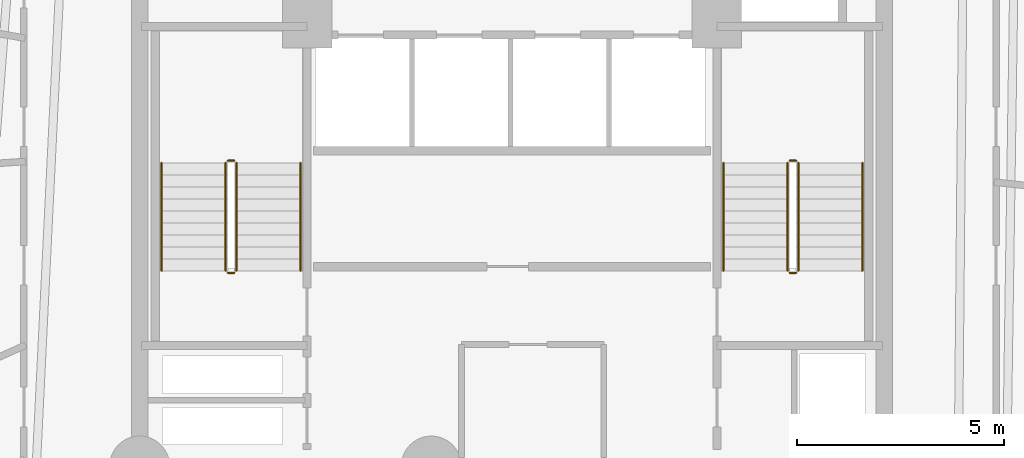
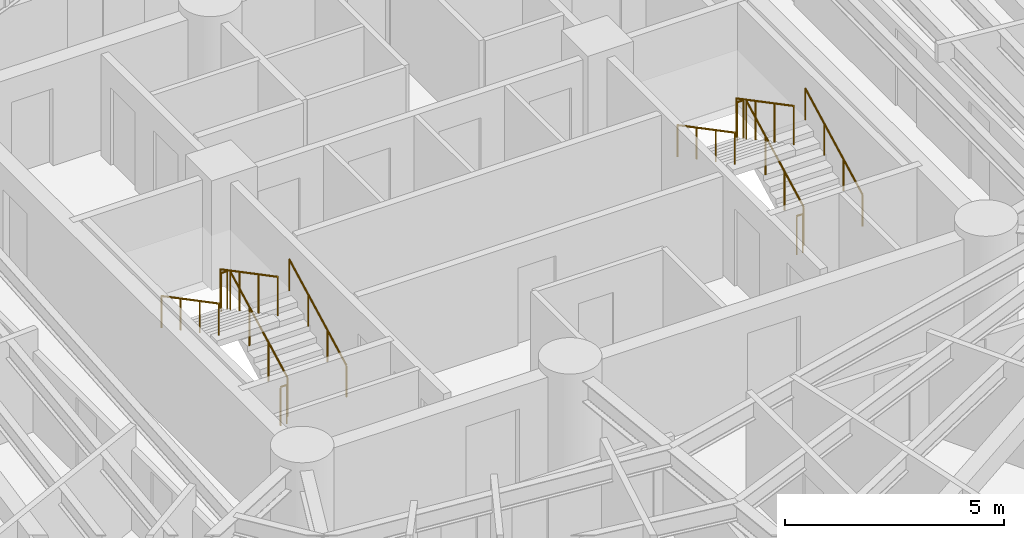
# One storey, part 7 of 7: 12 railings.
"""IFC4 building model written with IfcOpenShell, lengths in metres."""

from ifc_helpers import new_model, si_unit, direction, frame, origin, origin_2d, place, context, subcontext, project, spatial, circle, extrude, material, layer, layer_set, type_object, element, save


model = new_model("IFC4")

# Units and contexts
model_context = context("Model", 3, precision=1e-05, world=origin(), true_north=direction((0.0, 1.0)))
body_context = subcontext(model_context, "Body", "Model", "MODEL_VIEW")
ifc_project = project(units=[si_unit("LENGTHUNIT", "METRE"), si_unit("AREAUNIT", "SQUARE_METRE"), si_unit("VOLUMEUNIT", "CUBIC_METRE"), si_unit("PLANEANGLEUNIT", "RADIAN"), si_unit("MASSUNIT", "GRAM", prefix="KILO")], contexts=[model_context])

# Site, building, storey
site_placement = place(None, origin())
site = spatial("IfcSite", under=ifc_project, at=site_placement, CompositionType="ELEMENT")
building_placement = place(site_placement, origin())
building = spatial("IfcBuilding", under=site, at=building_placement, Name="Karkom Vertical University and Central Library", CompositionType="ELEMENT")
storey_placement = place(building_placement, frame((0.0, 0.0, 138.89990234375)))
storey = spatial("IfcBuildingStorey", under=building, at=storey_placement, Name="L39", CompositionType="ELEMENT", Elevation=138.89990234375)

# Railings
ifc_material_1 = material(Name="Painted galvanised steel balustrade", Category="steel")
ifc_layer_1 = layer(ifc_material_1, 0.06005859375)
ifc_layer_set_1 = layer_set([ifc_layer_1], Name="Painted galvanised steel balustrade")
railing_type_1 = type_object("IfcRailingType", Name="INT-RL-GUARD1100", PredefinedType="GUARDRAIL", material=ifc_layer_set_1)
railing_1_placement = place(storey_placement, frame((21.840087890625, 23.02001953125, 0.152587890625)))
element("IfcRailing", 1, at=railing_1_placement, inside=storey, type_object=railing_type_1, Name="Level 39 ST-1 stair guard 1", PredefinedType="GUARDRAIL", context=body_context, shape_type="SweptSolid", body=[
    extrude(circle(Radius=0.02392578125, at=origin_2d()), frame((0.0, 0.0, 1.076171875), z_axis=(0.0, 0.885065446896, 0.46546659892), x_axis=(-1.0, 0.0, 0.0)), (0.0, 0.0, 1.0), 2.94873046875),
    extrude(circle(Radius=0.02099609375, at=origin_2d()), origin(), (0.0, 0.0, 1.0), 1.052001953125),
    extrude(circle(Radius=0.02099609375, at=origin_2d()), frame((0.0, 0.869873046875, 0.45751953125)), (0.0, 0.0, 1.0), 1.052001953125),
    extrude(circle(Radius=0.02099609375, at=origin_2d()), frame((0.0, 1.739990234375, 0.9150390625)), (0.0, 0.0, 1.0), 1.052001953125),
    extrude(circle(Radius=0.02099609375, at=origin_2d()), frame((0.0, 2.60986328125, 1.37255859375)), (0.0, 0.0, 1.0), 1.052001953125),
])
railing_2_placement = place(storey_placement, frame((21.7900390625, 25.679931640625, 1.525146484375)))
element("IfcRailing", 2, at=railing_2_placement, inside=storey, type_object=railing_type_1, Name="Level 39 ST-1 stair guard 2", PredefinedType="GUARDRAIL", context=body_context, shape_type="SweptSolid", body=[
    extrude(circle(Radius=0.02392578125, at=origin_2d()), frame((0.0, 0.0, 1.076171875), z_axis=(-1.0, 0.0, 0.0), x_axis=(0.0, -1.0, 0.0)), (0.0, 0.0, 1.0), 0.16015625),
    extrude(circle(Radius=0.02099609375, at=origin_2d()), origin(), (0.0, 0.0, 1.0), 1.052001953125),
    extrude(circle(Radius=0.02099609375, at=origin_2d()), frame((-0.16015625, 0.0, 0.0)), (0.0, 0.0, 1.0), 1.052001953125),
])
railing_3_placement = place(storey_placement, frame((21.580078125, 25.6298828125, 1.677490234375)))
element("IfcRailing", 3, at=railing_3_placement, inside=storey, type_object=railing_type_1, Name="Level 39 ST-1 stair guard 3", PredefinedType="GUARDRAIL", context=body_context, shape_type="SweptSolid", body=[
    extrude(circle(Radius=0.02392578125, at=origin_2d()), frame((0.0, 0.0, 1.076171875), z_axis=(0.0, -0.885065446896, 0.46546659892), x_axis=(1.0, 0.0, 0.0)), (0.0, 0.0, 1.0), 2.94873046875),
    extrude(circle(Radius=0.02099609375, at=origin_2d()), origin(), (0.0, 0.0, 1.0), 1.052001953125),
    extrude(circle(Radius=0.02099609375, at=origin_2d()), frame((0.0, -0.869873046875, 0.45751953125)), (0.0, 0.0, 1.0), 1.052001953125),
    extrude(circle(Radius=0.02099609375, at=origin_2d()), frame((0.0, -1.739990234375, 0.9150390625)), (0.0, 0.0, 1.0), 1.052001953125),
    extrude(circle(Radius=0.02099609375, at=origin_2d()), frame((0.0, -2.60986328125, 1.37255859375)), (0.0, 0.0, 1.0), 1.052001953125),
])
railing_4_placement = place(storey_placement, frame((21.7900390625, 22.969970703125, 0.0)))
element("IfcRailing", 4, at=railing_4_placement, inside=storey, type_object=railing_type_1, Name="Level 39 ST-1 stair guard 4", PredefinedType="GUARDRAIL", context=body_context, shape_type="SweptSolid", body=[
    extrude(circle(Radius=0.02392578125, at=origin_2d()), frame((0.0, 0.0, 1.076171875), z_axis=(-1.0, 0.0, 0.0), x_axis=(0.0, -1.0, 0.0)), (0.0, 0.0, 1.0), 0.16015625),
    extrude(circle(Radius=0.02099609375, at=origin_2d()), origin(), (0.0, 0.0, 1.0), 1.052001953125),
    extrude(circle(Radius=0.02099609375, at=origin_2d()), frame((-0.16015625, 0.0, 0.0)), (0.0, 0.0, 1.0), 1.052001953125),
])
railing_5_placement = place(storey_placement, frame((35.419921875, 23.02001953125, 0.152587890625)))
element("IfcRailing", 5, at=railing_5_placement, inside=storey, type_object=railing_type_1, Name="Level 39 ST-2 stair guard 1", PredefinedType="GUARDRAIL", context=body_context, shape_type="SweptSolid", body=[
    extrude(circle(Radius=0.02392578125, at=origin_2d()), frame((0.0, 0.0, 1.076171875), z_axis=(0.0, 0.885065446896, 0.46546659892), x_axis=(-1.0, 0.0, 0.0)), (0.0, 0.0, 1.0), 2.94873046875),
    extrude(circle(Radius=0.02099609375, at=origin_2d()), origin(), (0.0, 0.0, 1.0), 1.052001953125),
    extrude(circle(Radius=0.02099609375, at=origin_2d()), frame((0.0, 0.869873046875, 0.45751953125)), (0.0, 0.0, 1.0), 1.052001953125),
    extrude(circle(Radius=0.02099609375, at=origin_2d()), frame((0.0, 1.739990234375, 0.9150390625)), (0.0, 0.0, 1.0), 1.052001953125),
    extrude(circle(Radius=0.02099609375, at=origin_2d()), frame((0.0, 2.60986328125, 1.37255859375)), (0.0, 0.0, 1.0), 1.052001953125),
])
railing_6_placement = place(storey_placement, frame((35.3701171875, 25.679931640625, 1.525146484375)))
element("IfcRailing", 6, at=railing_6_placement, inside=storey, type_object=railing_type_1, Name="Level 39 ST-2 stair guard 2", PredefinedType="GUARDRAIL", context=body_context, shape_type="SweptSolid", body=[
    extrude(circle(Radius=0.02392578125, at=origin_2d()), frame((0.0, 0.0, 1.076171875), z_axis=(-1.0, 0.0, 0.0), x_axis=(0.0, -1.0, 0.0)), (0.0, 0.0, 1.0), 0.16015625),
    extrude(circle(Radius=0.02099609375, at=origin_2d()), origin(), (0.0, 0.0, 1.0), 1.052001953125),
    extrude(circle(Radius=0.02099609375, at=origin_2d()), frame((-0.16015625, 0.0, 0.0)), (0.0, 0.0, 1.0), 1.052001953125),
])
railing_7_placement = place(storey_placement, frame((35.159912109375, 25.6298828125, 1.677490234375)))
element("IfcRailing", 7, at=railing_7_placement, inside=storey, type_object=railing_type_1, Name="Level 39 ST-2 stair guard 3", PredefinedType="GUARDRAIL", context=body_context, shape_type="SweptSolid", body=[
    extrude(circle(Radius=0.02392578125, at=origin_2d()), frame((0.0, 0.0, 1.076171875), z_axis=(0.0, -0.885065446896, 0.46546659892), x_axis=(1.0, 0.0, 0.0)), (0.0, 0.0, 1.0), 2.94873046875),
    extrude(circle(Radius=0.02099609375, at=origin_2d()), origin(), (0.0, 0.0, 1.0), 1.052001953125),
    extrude(circle(Radius=0.02099609375, at=origin_2d()), frame((0.0, -0.869873046875, 0.45751953125)), (0.0, 0.0, 1.0), 1.052001953125),
    extrude(circle(Radius=0.02099609375, at=origin_2d()), frame((0.0, -1.739990234375, 0.9150390625)), (0.0, 0.0, 1.0), 1.052001953125),
    extrude(circle(Radius=0.02099609375, at=origin_2d()), frame((0.0, -2.60986328125, 1.37255859375)), (0.0, 0.0, 1.0), 1.052001953125),
])
railing_8_placement = place(storey_placement, frame((35.3701171875, 22.969970703125, 0.0)))
element("IfcRailing", 8, at=railing_8_placement, inside=storey, type_object=railing_type_1, Name="Level 39 ST-2 stair guard 4", PredefinedType="GUARDRAIL", context=body_context, shape_type="SweptSolid", body=[
    extrude(circle(Radius=0.02392578125, at=origin_2d()), frame((0.0, 0.0, 1.076171875), z_axis=(-1.0, 0.0, 0.0), x_axis=(0.0, -1.0, 0.0)), (0.0, 0.0, 1.0), 0.16015625),
    extrude(circle(Radius=0.02099609375, at=origin_2d()), origin(), (0.0, 0.0, 1.0), 1.052001953125),
    extrude(circle(Radius=0.02099609375, at=origin_2d()), frame((-0.16015625, 0.0, 0.0)), (0.0, 0.0, 1.0), 1.052001953125),
])
ifc_material_2 = material(Name="Brushed stainless-steel tubular handrail", Category="steel")
ifc_layer_2 = layer(ifc_material_2, 0.048095703125)
ifc_layer_set_2 = layer_set([ifc_layer_2], Name="Brushed stainless-steel tubular handrail")
railing_type_2 = type_object("IfcRailingType", Name="INT-RL-HAND920", PredefinedType="HANDRAIL", material=ifc_layer_set_2)
railing_9_placement = place(storey_placement, frame((23.389892578125, 23.02001953125, 0.152587890625)))
element("IfcRailing", 9, at=railing_9_placement, inside=storey, type_object=railing_type_2, Name="Level 39 ST-1 stair handrail 1", PredefinedType="HANDRAIL", context=body_context, shape_type="SweptSolid", body=[
    extrude(circle(Radius=0.02392578125, at=origin_2d()), frame((0.0, 0.0, 0.8759765625), z_axis=(0.0, 0.885065446896, 0.46546659892), x_axis=(-1.0, 0.0, 0.0)), (0.0, 0.0, 1.0), 2.94873046875),
    extrude(circle(Radius=0.02099609375, at=origin_2d()), origin(), (0.0, 0.0, 1.0), 0.851806640625),
    extrude(circle(Radius=0.02099609375, at=origin_2d()), frame((0.0, 0.869873046875, 0.45751953125)), (0.0, 0.0, 1.0), 0.851806640625),
    extrude(circle(Radius=0.02099609375, at=origin_2d()), frame((0.0, 1.739990234375, 0.9150390625)), (0.0, 0.0, 1.0), 0.851806640625),
    extrude(circle(Radius=0.02099609375, at=origin_2d()), frame((0.0, 2.60986328125, 1.37255859375)), (0.0, 0.0, 1.0), 0.851806640625),
])
railing_10_placement = place(storey_placement, frame((20.030029296875, 25.6298828125, 1.677490234375)))
element("IfcRailing", 10, at=railing_10_placement, inside=storey, type_object=railing_type_2, Name="Level 39 ST-1 stair handrail 2", PredefinedType="HANDRAIL", context=body_context, shape_type="SweptSolid", body=[
    extrude(circle(Radius=0.02392578125, at=origin_2d()), frame((0.0, 0.0, 0.8759765625), z_axis=(0.0, -0.885065446896, 0.46546659892), x_axis=(1.0, 0.0, 0.0)), (0.0, 0.0, 1.0), 2.94873046875),
    extrude(circle(Radius=0.02099609375, at=origin_2d()), origin(), (0.0, 0.0, 1.0), 0.851806640625),
    extrude(circle(Radius=0.02099609375, at=origin_2d()), frame((0.0, -0.869873046875, 0.45751953125)), (0.0, 0.0, 1.0), 0.851806640625),
    extrude(circle(Radius=0.02099609375, at=origin_2d()), frame((0.0, -1.739990234375, 0.9150390625)), (0.0, 0.0, 1.0), 0.851806640625),
    extrude(circle(Radius=0.02099609375, at=origin_2d()), frame((0.0, -2.60986328125, 1.37255859375)), (0.0, 0.0, 1.0), 0.851806640625),
])
railing_11_placement = place(storey_placement, frame((36.969970703125, 23.02001953125, 0.152587890625)))
element("IfcRailing", 11, at=railing_11_placement, inside=storey, type_object=railing_type_2, Name="Level 39 ST-2 stair handrail 1", PredefinedType="HANDRAIL", context=body_context, shape_type="SweptSolid", body=[
    extrude(circle(Radius=0.02392578125, at=origin_2d()), frame((0.0, 0.0, 0.8759765625), z_axis=(0.0, 0.885065446896, 0.46546659892), x_axis=(-1.0, 0.0, 0.0)), (0.0, 0.0, 1.0), 2.94873046875),
    extrude(circle(Radius=0.02099609375, at=origin_2d()), origin(), (0.0, 0.0, 1.0), 0.851806640625),
    extrude(circle(Radius=0.02099609375, at=origin_2d()), frame((0.0, 0.869873046875, 0.45751953125)), (0.0, 0.0, 1.0), 0.851806640625),
    extrude(circle(Radius=0.02099609375, at=origin_2d()), frame((0.0, 1.739990234375, 0.9150390625)), (0.0, 0.0, 1.0), 0.851806640625),
    extrude(circle(Radius=0.02099609375, at=origin_2d()), frame((0.0, 2.60986328125, 1.37255859375)), (0.0, 0.0, 1.0), 0.851806640625),
])
railing_12_placement = place(storey_placement, frame((33.610107421875, 25.6298828125, 1.677490234375)))
element("IfcRailing", 12, at=railing_12_placement, inside=storey, type_object=railing_type_2, Name="Level 39 ST-2 stair handrail 2", PredefinedType="HANDRAIL", context=body_context, shape_type="SweptSolid", body=[
    extrude(circle(Radius=0.02392578125, at=origin_2d()), frame((0.0, 0.0, 0.8759765625), z_axis=(0.0, -0.885065446896, 0.46546659892), x_axis=(1.0, 0.0, 0.0)), (0.0, 0.0, 1.0), 2.94873046875),
    extrude(circle(Radius=0.02099609375, at=origin_2d()), origin(), (0.0, 0.0, 1.0), 0.851806640625),
    extrude(circle(Radius=0.02099609375, at=origin_2d()), frame((0.0, -0.869873046875, 0.45751953125)), (0.0, 0.0, 1.0), 0.851806640625),
    extrude(circle(Radius=0.02099609375, at=origin_2d()), frame((0.0, -1.739990234375, 0.9150390625)), (0.0, 0.0, 1.0), 0.851806640625),
    extrude(circle(Radius=0.02099609375, at=origin_2d()), frame((0.0, -2.60986328125, 1.37255859375)), (0.0, 0.0, 1.0), 0.851806640625),
])

save(model, "model.ifc")
